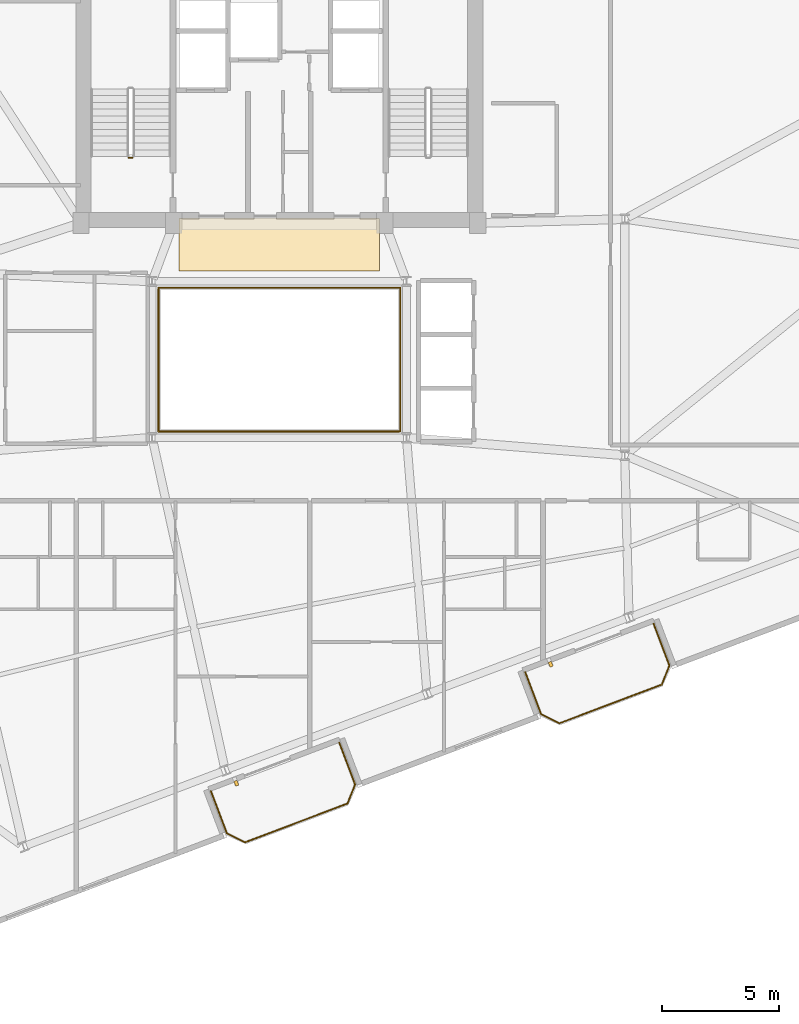
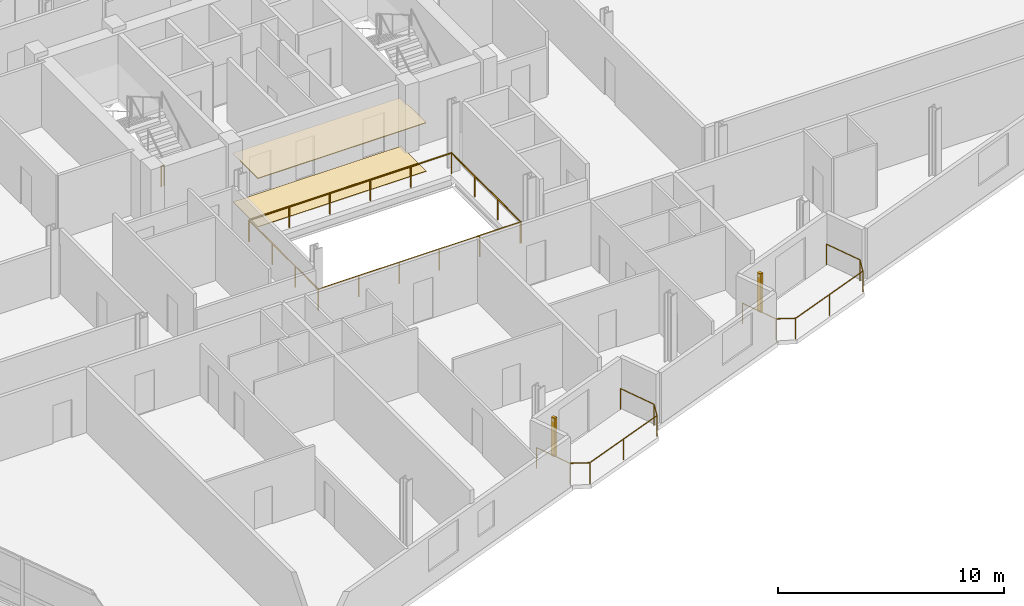
# One storey, part 19 of 20: 5 railings, 2 coverings, 2 shading devices.
"""IFC4 building model written with IfcOpenShell, lengths in metres."""

import ifcopenshell
import ifcopenshell.guid

model = None  # the IFC model being written
_history = None  # IfcOwnerHistory: only IFC2X3 demands one
_inside = {}  # id of a spatial element -> (the spatial element, [elements in it])
_under = {}  # id of a project, library or spatial element -> (it, [spatial elements below it])
_declared = {}  # id of a project -> (the project, [libraries it declares])
_typed = {}  # id of a type object -> (the type object, [elements of that type])
_made_of = {}  # id of a material, layer set ... -> (it, [elements and type objects made of it])


def new_model(schema):
    """Start an empty IFC model of exactly this schema.

    Asked for "IFC4X3", IfcOpenShell would pick the latest addendum, in which some entities
    have other attributes; the version numbers below select the first issue.
    IFC2X3 requires an IfcOwnerHistory on every rooted entity: one is made here for all.
    """
    global model, _history
    if schema == "IFC4X3":
        model = ifcopenshell.file(schema_version=(4, 3, 0, 0))
    else:
        model = ifcopenshell.file(schema=schema)
    _inside.clear()
    _under.clear()
    _declared.clear()
    _typed.clear()
    _made_of.clear()
    _history = None
    if model.schema == "IFC2X3":
        org = make("IfcOrganization", Name="unknown")
        user = make(
            "IfcPersonAndOrganization",
            ThePerson=make("IfcPerson", FamilyName="unknown"),
            TheOrganization=org,
        )
        app = make(
            "IfcApplication",
            ApplicationDeveloper=org,
            Version="unknown",
            ApplicationFullName="unknown",
            ApplicationIdentifier="unknown",
        )
        _history = make(
            "IfcOwnerHistory",
            OwningUser=user,
            OwningApplication=app,
            ChangeAction="ADDED",
            CreationDate=0,
        )
    return model


def make(cls, **values):
    """One entity of the class cls with the attributes given. An attribute that is None is left unset."""
    return model.create_entity(
        cls, **{name: value for name, value in values.items() if value is not None}
    )


def rooted(cls, **values):
    """An entity with a GlobalId (a new one), such as an element, a storey or a relation."""
    return make(cls, GlobalId=ifcopenshell.guid.new(), OwnerHistory=_history, **values)


def si_unit(unit_type, name, prefix=None):
    """IfcSIUnit, for example si_unit("LENGTHUNIT", "METRE", prefix="MILLI")."""
    return make("IfcSIUnit", UnitType=unit_type, Prefix=prefix, Name=name)


def assignment(units):
    """IfcUnitAssignment: the units of a project."""
    return None if units is None else make("IfcUnitAssignment", Units=units)


def point(xyz):
    """IfcCartesianPoint."""
    return None if xyz is None else make("IfcCartesianPoint", Coordinates=xyz)


def direction(xyz):
    """IfcDirection."""
    return None if xyz is None else make("IfcDirection", DirectionRatios=xyz)


def frame(location, z_axis=None, x_axis=None):
    """IfcAxis2Placement3D, a coordinate frame: its origin and axes. An axis left out is left unset."""
    return make(
        "IfcAxis2Placement3D",
        Location=point(location),
        Axis=direction(z_axis),
        RefDirection=direction(x_axis),
    )


def frame_2d(location, x_axis=None):
    """IfcAxis2Placement2D, a coordinate frame in the plane: its origin and x axis."""
    return make(
        "IfcAxis2Placement2D", Location=point(location), RefDirection=direction(x_axis)
    )


def origin():
    """The frame at (0, 0, 0) with its axes left unset."""
    return frame((0.0, 0.0, 0.0))


def origin_2d():
    """The frame at (0, 0) in the plane with its x axis left unset."""
    return frame_2d((0.0, 0.0))


def place(relative_to, where):
    """IfcLocalPlacement: puts the frame where relative to a parent placement (None: the world)."""
    return make(
        "IfcLocalPlacement", PlacementRelTo=relative_to, RelativePlacement=where
    )


def context(
    kind, dimensions, precision=None, world=None, true_north=None, identifier=None
):
    """IfcGeometricRepresentationContext, for example the 3D "Model" context."""
    return make(
        "IfcGeometricRepresentationContext",
        ContextIdentifier=identifier,
        ContextType=kind,
        CoordinateSpaceDimension=dimensions,
        Precision=precision,
        WorldCoordinateSystem=world,
        TrueNorth=true_north,
    )


def subcontext(parent, identifier, kind, view, scale=None):
    """IfcGeometricRepresentationSubContext, for example "Body" below "Model"."""
    return make(
        "IfcGeometricRepresentationSubContext",
        ContextIdentifier=identifier,
        ContextType=kind,
        ParentContext=parent,
        TargetScale=scale,
        TargetView=view,
    )


def project(units=None, contexts=None):
    """IfcProject with its units and contexts."""
    return rooted(
        "IfcProject",
        Name="project",
        RepresentationContexts=contexts,
        UnitsInContext=assignment(units),
    )


def spatial(cls, under=None, at=None, **own):
    """A site, building, storey or space (cls), placed at a placement, below another one or the project."""
    s = rooted(cls, ObjectPlacement=at, **own)
    if under is not None:
        _under.setdefault(under.id(), (under, []))[1].append(s)
    return s


def profile(cls, at=None, kind="AREA", **sizes):
    """A parametric profile (cls). Its sizes go by their IFC names, for example OverallWidth=200.0."""
    return make(cls, ProfileType=kind, Position=at, **sizes)


def rectangle(**sizes):
    """IfcRectangleProfileDef."""
    return profile("IfcRectangleProfileDef", **sizes)


def circle(**sizes):
    """IfcCircleProfileDef."""
    return profile("IfcCircleProfileDef", **sizes)


def extrude(swept, where, along, depth):
    """IfcExtrudedAreaSolid: the profile swept, set in the frame where, extruded along a direction by depth."""
    return make(
        "IfcExtrudedAreaSolid",
        SweptArea=swept,
        Position=where,
        ExtrudedDirection=direction(along),
        Depth=depth,
    )


def shape(context_of_items, identifier, shape_type, items):
    """IfcShapeRepresentation: the items that make up one representation, for example the "Body"."""
    return make(
        "IfcShapeRepresentation",
        ContextOfItems=context_of_items,
        RepresentationIdentifier=identifier,
        RepresentationType=shape_type,
        Items=items,
    )


def source(mapping_origin, context_of_items, identifier, shape_type, items):
    """IfcRepresentationMap: a shape defined once, which mapped items show again and again."""
    return make(
        "IfcRepresentationMap",
        MappingOrigin=mapping_origin,
        MappedRepresentation=shape(context_of_items, identifier, shape_type, items),
    )


def transform(
    local_origin,
    x_axis=None,
    y_axis=None,
    z_axis=None,
    scale=None,
    scale2=None,
    scale3=None,
    uniform=True,
):
    """IfcCartesianTransformationOperator3D, or its non-uniform kind. x_axis, y_axis, z_axis: its Axis1, 2, 3."""
    if uniform:
        return make(
            "IfcCartesianTransformationOperator3D",
            Axis1=direction(x_axis),
            Axis2=direction(y_axis),
            LocalOrigin=point(local_origin),
            Scale=scale,
            Axis3=direction(z_axis),
        )
    return make(
        "IfcCartesianTransformationOperator3DnonUniform",
        Axis1=direction(x_axis),
        Axis2=direction(y_axis),
        LocalOrigin=point(local_origin),
        Scale=scale,
        Axis3=direction(z_axis),
        Scale2=scale2,
        Scale3=scale3,
    )


def mapped(mapping_source, mapping_target):
    """IfcMappedItem: shows the shape of a source again, moved by a transform."""
    return make(
        "IfcMappedItem", MappingSource=mapping_source, MappingTarget=mapping_target
    )


def material(Name=None, Category=None):
    """IfcMaterial."""
    return make("IfcMaterial", Name=Name, Category=Category)


def layer(
    of_material, thickness, ventilated=None, Name=None, Category=None, Priority=None
):
    """IfcMaterialLayer: one layer of a wall or slab, of a material (None: an air gap)."""
    return make(
        "IfcMaterialLayer",
        Material=of_material,
        LayerThickness=thickness,
        IsVentilated=ventilated,
        Name=Name,
        Category=Category,
        Priority=Priority,
    )


def layer_set(layers, Name=None):
    """IfcMaterialLayerSet."""
    return make("IfcMaterialLayerSet", MaterialLayers=layers, LayerSetName=Name)


def made_of(thing, what):
    """Note that an element or type object is made of a material, layer set ...; save() writes the relation."""
    if what is not None:
        _made_of.setdefault(what.id(), (what, []))[1].append(thing)
    return thing


def type_object(cls, material=None, **own):
    """A type object (cls), such as IfcWallType, which elements share."""
    return made_of(rooted(cls, **own), material)


def element(
    cls,
    number,
    at=None,
    inside=None,
    cuts=None,
    type_object=None,
    material=None,
    context=None,
    identifier="Body",
    shape_type=None,
    held_by="IfcProductDefinitionShape",
    body=None,
    shapes=None,
    **own,
):
    """One element of the class cls, such as IfcWall. Its Tag is "e" and its number.

    at: its placement. inside: the storey or other place that contains it. cuts: it is an
    opening in that element (IfcRelVoidsElement). A single representation is given by context,
    identifier, shape_type and body (its items); several are given by shapes. held_by: the class
    of the entity that holds the representations. save() writes the other relations.
    """
    e = rooted(cls, Tag="e%d" % number, ObjectPlacement=at, **own)
    if body is not None:
        shapes = [shape(context, identifier, shape_type, body)]
    if shapes is not None:
        e.Representation = make(held_by, Representations=shapes)
    if inside is not None:
        _inside.setdefault(inside.id(), (inside, []))[1].append(e)
    if cuts is not None:
        rooted(
            "IfcRelVoidsElement", RelatingBuildingElement=cuts, RelatedOpeningElement=e
        )
    if type_object is not None:
        _typed.setdefault(type_object.id(), (type_object, []))[1].append(e)
    return made_of(e, material)


def aggregate(whole, parts):
    """IfcRelAggregates: a whole, such as a stair, and the parts it consists of."""
    return rooted("IfcRelAggregates", RelatingObject=whole, RelatedObjects=parts)


def save(model, path):
    """Write the relations noted so far, then the file.

    IfcRelAggregates (storeys below a building ...), IfcRelContainedInSpatialStructure (elements
    in a storey), IfcRelDefinesByType, IfcRelAssociatesMaterial and IfcRelDeclares: one each for
    every whole, place, type object, material and project.
    """
    for whole, parts in _under.values():
        aggregate(whole, parts)
    for where, things in _inside.values():
        rooted(
            "IfcRelContainedInSpatialStructure",
            RelatedElements=things,
            RelatingStructure=where,
        )
    for kind, things in _typed.values():
        rooted("IfcRelDefinesByType", RelatedObjects=things, RelatingType=kind)
    for what, things in _made_of.values():
        rooted("IfcRelAssociatesMaterial", RelatedObjects=things, RelatingMaterial=what)
    for by, libraries in _declared.values():
        rooted("IfcRelDeclares", RelatingContext=by, RelatedDefinitions=libraries)
    model.write(path)


model = new_model("IFC4")

# Units and contexts
model_context = context("Model", 3, precision=1e-05, world=origin(), true_north=direction((0.0, 1.0)))
body_context = subcontext(model_context, "Body", "Model", "MODEL_VIEW")
ifc_project = project(units=[si_unit("LENGTHUNIT", "METRE"), si_unit("AREAUNIT", "SQUARE_METRE"), si_unit("VOLUMEUNIT", "CUBIC_METRE"), si_unit("PLANEANGLEUNIT", "RADIAN"), si_unit("MASSUNIT", "GRAM", prefix="KILO")], contexts=[model_context])

# Site, building, storey
site_placement = place(None, origin())
site = spatial("IfcSite", under=ifc_project, at=site_placement, CompositionType="ELEMENT")
building_placement = place(site_placement, origin())
building = spatial("IfcBuilding", under=site, at=building_placement, Name="Varnelok Gate Tower", CompositionType="ELEMENT")
storey_placement = place(building_placement, frame((0.0, 0.0, 216.39990234375)))
storey = spatial("IfcBuildingStorey", under=building, at=storey_placement, Name="L55", CompositionType="ELEMENT", Elevation=216.39990234375)

# Railings
ifc_material_1 = material(Name="Tempered Laminated Balustrade Glass", Category="glass")
railing_type_1 = type_object("IfcRailingType", Name="RL-ATR-GUARD1150", PredefinedType="GUARDRAIL", material=ifc_material_1)
railing_1_placement = place(storey_placement, frame((34.02001953125, 25.929931640625, 0.0)))
element("IfcRailing", 1, at=railing_1_placement, inside=storey, type_object=railing_type_1, Name="L55 Internal Atrium South-West Guardrail", PredefinedType="GUARDRAIL", context=body_context, shape_type="SweptSolid", body=[
    extrude(circle(Radius=0.02392578125, at=origin_2d()), frame((0.0, 0.0, 1.1259765625), z_axis=(0.0, -1.0, 0.0), x_axis=(1.0, 0.0, 0.0)), (0.0, 0.0, 1.0), 6.10986328125),
    extrude(circle(Radius=0.02392578125, at=origin_2d()), frame((0.0, -6.10986328125, 1.1259765625), z_axis=(1.0, 0.0, 0.0), x_axis=(0.0, 1.0, 0.0)), (0.0, 0.0, 1.0), 10.31005859375),
    extrude(circle(Radius=0.02099609375, at=origin_2d()), origin(), (0.0, 0.0, 1.0), 1.101806640625),
    extrude(circle(Radius=0.02099609375, at=origin_2d()), frame((0.0, -2.03662109375, 0.0)), (0.0, 0.0, 1.0), 1.101806640625),
    extrude(circle(Radius=0.02099609375, at=origin_2d()), frame((0.0, -4.0732421875, 0.0)), (0.0, 0.0, 1.0), 1.101806640625),
    extrude(circle(Radius=0.02099609375, at=origin_2d()), frame((0.0, -6.10986328125, 0.0)), (0.0, 0.0, 1.0), 1.101806640625),
    extrude(circle(Radius=0.02099609375, at=origin_2d()), frame((2.06201171875, -6.10986328125, 0.0)), (0.0, 0.0, 1.0), 1.101806640625),
    extrude(circle(Radius=0.02099609375, at=origin_2d()), frame((4.1240234375, -6.10986328125, 0.0)), (0.0, 0.0, 1.0), 1.101806640625),
    extrude(circle(Radius=0.02099609375, at=origin_2d()), frame((6.18603515625, -6.10986328125, 0.0)), (0.0, 0.0, 1.0), 1.101806640625),
    extrude(circle(Radius=0.02099609375, at=origin_2d()), frame((8.248046875, -6.10986328125, 0.0)), (0.0, 0.0, 1.0), 1.101806640625),
    extrude(circle(Radius=0.02099609375, at=origin_2d()), frame((10.31005859375, -6.10986328125, 0.0)), (0.0, 0.0, 1.0), 1.101806640625),
])
railing_2_placement = place(storey_placement, frame((44.3798828125, 19.820068359375, 0.0)))
element("IfcRailing", 2, at=railing_2_placement, inside=storey, type_object=railing_type_1, Name="L55 Internal Atrium North-East Guardrail", PredefinedType="GUARDRAIL", context=body_context, shape_type="SweptSolid", body=[
    extrude(circle(Radius=0.02392578125, at=origin_2d()), frame((0.0, 0.0, 1.1259765625), z_axis=(0.0, 1.0, 0.0), x_axis=(-1.0, 0.0, 0.0)), (0.0, 0.0, 1.0), 6.159912109375),
    extrude(circle(Radius=0.02392578125, at=origin_2d()), frame((0.0, 6.159912109375, 1.1259765625), z_axis=(-1.0, 0.0, 0.0), x_axis=(0.0, -1.0, 0.0)), (0.0, 0.0, 1.0), 10.35986328125),
    extrude(circle(Radius=0.02099609375, at=origin_2d()), origin(), (0.0, 0.0, 1.0), 1.101806640625),
    extrude(circle(Radius=0.02099609375, at=origin_2d()), frame((0.0, 2.05322265625, 0.0)), (0.0, 0.0, 1.0), 1.101806640625),
    extrude(circle(Radius=0.02099609375, at=origin_2d()), frame((0.0, 4.106689453125, 0.0)), (0.0, 0.0, 1.0), 1.101806640625),
    extrude(circle(Radius=0.02099609375, at=origin_2d()), frame((0.0, 6.159912109375, 0.0)), (0.0, 0.0, 1.0), 1.101806640625),
    extrude(circle(Radius=0.02099609375, at=origin_2d()), frame((-2.072021484375, 6.159912109375, 0.0)), (0.0, 0.0, 1.0), 1.101806640625),
    extrude(circle(Radius=0.02099609375, at=origin_2d()), frame((-4.14404296875, 6.159912109375, 0.0)), (0.0, 0.0, 1.0), 1.101806640625),
    extrude(circle(Radius=0.02099609375, at=origin_2d()), frame((-6.2158203125, 6.159912109375, 0.0)), (0.0, 0.0, 1.0), 1.101806640625),
    extrude(circle(Radius=0.02099609375, at=origin_2d()), frame((-8.287841796875, 6.159912109375, 0.0)), (0.0, 0.0, 1.0), 1.101806640625),
    extrude(circle(Radius=0.02099609375, at=origin_2d()), frame((-10.35986328125, 6.159912109375, 0.0)), (0.0, 0.0, 1.0), 1.101806640625),
])
ifc_material_2 = material(Name="Low-E Laminated Double Glazing IGU", Category="glass")
railing_type_2 = type_object("IfcRailingType", Name="RL-BALC-1150", PredefinedType="BALUSTRADE", material=ifc_material_2)
railing_3_placement = place(storey_placement, frame((36.26708984375, 4.408203125, 0.0)))
element("IfcRailing", 3, at=railing_3_placement, inside=storey, type_object=railing_type_2, Name="L55 South Terrace Balustrade 1", PredefinedType="BALUSTRADE", context=body_context, shape_type="SweptSolid", body=[
    extrude(circle(Radius=0.02392578125, at=origin_2d()), frame((0.0, 0.0, 1.1259765625), z_axis=(0.354006333352, -0.935243025073, 0.0), x_axis=(0.935243025073, 0.354006333352, 0.0)), (0.0, 0.0, 1.0), 1.919921875),
    extrude(circle(Radius=0.02392578125, at=origin_2d()), frame((0.6796875, -1.795654296875, 1.1259765625), z_axis=(0.89078254773, -0.454429810487, 0.0), x_axis=(0.454429810487, 0.89078254773, 0.0)), (0.0, 0.0, 1.0), 0.8779296875),
    extrude(circle(Radius=0.02392578125, at=origin_2d()), frame((1.461669921875, -2.194580078125, 1.1259765625), z_axis=(0.935223045203, 0.354059113314, 0.0), x_axis=(-0.354059113314, 0.935223045203, 0.0)), (0.0, 0.0, 1.0), 4.699951171875),
    extrude(circle(Radius=0.02392578125, at=origin_2d()), frame((5.857177734375, -0.530517578125, 1.1259765625), z_axis=(0.366254584666, 0.930514685113, 0.0), x_axis=(-0.930514685113, 0.366254584666, 0.0)), (0.0, 0.0, 1.0), 0.8779296875),
    extrude(circle(Radius=0.02392578125, at=origin_2d()), frame((6.1787109375, 0.286376953125, 1.1259765625), z_axis=(-0.354048437536, 0.935227086797, 0.0), x_axis=(-0.935227086797, -0.354048437536, 0.0)), (0.0, 0.0, 1.0), 1.919677734375),
    extrude(circle(Radius=0.02099609375, at=origin_2d()), origin(), (0.0, 0.0, 1.0), 1.101806640625),
    extrude(circle(Radius=0.02099609375, at=origin_2d()), frame((0.6796875, -1.795654296875, 0.0)), (0.0, 0.0, 1.0), 1.101806640625),
    extrude(circle(Radius=0.02099609375, at=origin_2d()), frame((1.461669921875, -2.194580078125, 0.0)), (0.0, 0.0, 1.0), 1.101806640625),
    extrude(circle(Radius=0.02099609375, at=origin_2d()), frame((3.659423828125, -1.362548828125, 0.0)), (0.0, 0.0, 1.0), 1.101806640625),
    extrude(circle(Radius=0.02099609375, at=origin_2d()), frame((5.857177734375, -0.530517578125, 0.0)), (0.0, 0.0, 1.0), 1.101806640625),
    extrude(circle(Radius=0.02099609375, at=origin_2d()), frame((6.1787109375, 0.286376953125, 0.0)), (0.0, 0.0, 1.0), 1.101806640625),
    extrude(circle(Radius=0.02099609375, at=origin_2d()), frame((5.4990234375, 2.081787109375, 0.0)), (0.0, 0.0, 1.0), 1.101806640625),
])
railing_4_placement = place(storey_placement, frame((49.734130859375, 9.506591796875, 0.0)))
element("IfcRailing", 4, at=railing_4_placement, inside=storey, type_object=railing_type_2, Name="L55 South Terrace Balustrade 2", PredefinedType="BALUSTRADE", context=body_context, shape_type="SweptSolid", body=[
    extrude(circle(Radius=0.02392578125, at=origin_2d()), frame((0.0, 0.0, 1.1259765625), z_axis=(0.354159661475, -0.935184973245, 0.0), x_axis=(0.935184973245, 0.354159661475, 0.0)), (0.0, 0.0, 1.0), 1.919921875),
    extrude(circle(Radius=0.02392578125, at=origin_2d()), frame((0.679931640625, -1.79541015625, 1.1259765625), z_axis=(0.890612455555, -0.454763074589, 0.0), x_axis=(0.454763074589, 0.890612455555, 0.0)), (0.0, 0.0, 1.0), 0.877685546875),
    extrude(circle(Radius=0.02392578125, at=origin_2d()), frame((1.461669921875, -2.194580078125, 1.1259765625), z_axis=(0.935212356898, 0.354087344458, 0.0), x_axis=(-0.354087344458, 0.935212356898, 0.0)), (0.0, 0.0, 1.0), 4.7001953125),
    extrude(circle(Radius=0.02392578125, at=origin_2d()), frame((5.857421875, -0.5302734375, 1.1259765625), z_axis=(0.366349384437, 0.930477365938, 0.0), x_axis=(-0.930477365938, 0.366349384437, 0.0)), (0.0, 0.0, 1.0), 0.877685546875),
    extrude(circle(Radius=0.02392578125, at=origin_2d()), frame((6.178955078125, 0.286376953125, 1.1259765625), z_axis=(-0.354006333352, 0.935243025073, 0.0), x_axis=(-0.935243025073, -0.354006333352, 0.0)), (0.0, 0.0, 1.0), 1.919921875),
    extrude(circle(Radius=0.02099609375, at=origin_2d()), origin(), (0.0, 0.0, 1.0), 1.101806640625),
    extrude(circle(Radius=0.02099609375, at=origin_2d()), frame((0.679931640625, -1.79541015625, 0.0)), (0.0, 0.0, 1.0), 1.101806640625),
    extrude(circle(Radius=0.02099609375, at=origin_2d()), frame((1.461669921875, -2.194580078125, 0.0)), (0.0, 0.0, 1.0), 1.101806640625),
    extrude(circle(Radius=0.02099609375, at=origin_2d()), frame((3.65966796875, -1.3623046875, 0.0)), (0.0, 0.0, 1.0), 1.101806640625),
    extrude(circle(Radius=0.02099609375, at=origin_2d()), frame((5.857421875, -0.5302734375, 0.0)), (0.0, 0.0, 1.0), 1.101806640625),
    extrude(circle(Radius=0.02099609375, at=origin_2d()), frame((6.178955078125, 0.286376953125, 0.0)), (0.0, 0.0, 1.0), 1.101806640625),
    extrude(circle(Radius=0.02099609375, at=origin_2d()), frame((5.499267578125, 2.08203125, 0.0)), (0.0, 0.0, 1.0), 1.101806640625),
])
ifc_material_3 = material(Name="Galvanized Steel Grade S350GD", Category="steel")
railing_type_3 = type_object("IfcRailingType", Name="RL-STAIR-GUARD1120", PredefinedType="GUARDRAIL", material=ifc_material_3)
railing_5_placement = place(storey_placement, frame((32.89990234375, 31.550048828125, 0.0)))
element("IfcRailing", 5, at=railing_5_placement, inside=storey, type_object=railing_type_3, Name="L55 ST-1 stair guard 4", PredefinedType="GUARDRAIL", context=body_context, shape_type="SweptSolid", body=[
    extrude(circle(Radius=0.02392578125, at=origin_2d()), frame((0.0, 0.0, 1.09619140625), z_axis=(-1.0, 0.0, 0.0), x_axis=(0.0, -1.0, 0.0)), (0.0, 0.0, 1.0), 0.14990234375),
    extrude(circle(Radius=0.02099609375, at=origin_2d()), origin(), (0.0, 0.0, 1.0), 1.072021484375),
    extrude(circle(Radius=0.02099609375, at=origin_2d()), frame((-0.14990234375, 0.0, 0.0)), (0.0, 0.0, 1.0), 1.072021484375),
])

# Shading devices
ifc_material_4 = material(Name="Glazed Architectural Terracotta Ceramic", Category="masonry")
shading_device_type = type_object("IfcShadingDeviceType", Name="SHD-TERRA-FIN", PredefinedType="USERDEFINED", material=ifc_material_4)
shared_shape_1 = source(origin(), body_context, "Body", "SweptSolid", [
    extrude(rectangle(XDim=0.139892578125, YDim=0.219970703125, at=origin_2d()), origin(), (0.0, 0.0, 1.0), 2.10009765625),
])
for number, where, z_axis, x_axis, name in (
    (6, (37.35791015625, 4.746337890625, 0.10009765625), (0.0, 0.0, 1.0), (0.935221751401, 0.354062530786, 0.0), "L55 Terracotta Ceramic Baguette Sunscreen 1.1"),
    (7, (50.8251953125, 9.844970703125, 0.10009765625), (0.0, 0.0, 1.0), (0.935221751401, 0.354062530786, 0.0), "L55 Terracotta Ceramic Baguette Sunscreen 2.1"),
):
    element("IfcShadingDevice", number, at=place(storey_placement, frame(where, z_axis=z_axis, x_axis=x_axis)), inside=storey, type_object=shading_device_type, Name=name, ObjectType="BAGUETTE", PredefinedType="USERDEFINED", context=body_context, shape_type="MappedRepresentation", body=[
        mapped(shared_shape_1, transform((0.0, 0.0, 0.0), scale=1.0)),
    ])

# Coverings
ifc_material_5 = material(Name="Honed Travertine Stone Flooring", Category="masonry")
ifc_layer_1 = layer(ifc_material_5, 0.02490234375)
ifc_layer_set_1 = layer_set([ifc_layer_1], Name="Honed Travertine Stone Flooring")
covering_type_1 = type_object("IfcCoveringType", Name="COV-FLOR-STONE", PredefinedType="FLOORING", material=ifc_layer_set_1)
shared_shape_2 = source(origin(), body_context, "Body", "SweptSolid", [
    extrude(rectangle(XDim=8.60009765625, YDim=2.219970703125, at=origin_2d()), origin(), (0.0, 0.0, 1.0), 0.02490234375),
])
covering_1_placement = place(storey_placement, frame((39.199951171875, 27.800048828125, 0.000244140625), z_axis=(0.0, 0.0, 1.0), x_axis=(1.0, 0.0, 0.0)))
element("IfcCovering", 8, at=covering_1_placement, inside=storey, type_object=covering_type_1, Name="L55 Core Gallery Stone Flooring", PredefinedType="FLOORING", context=body_context, shape_type="MappedRepresentation", body=[
    mapped(shared_shape_2, transform((0.0, 0.0, 0.0), scale=1.0)),
])
ifc_material_6 = material(Name="Mineral Fiber Acoustic Ceiling Tile")
ifc_layer_2 = layer(ifc_material_6, 0.0400390625)
ifc_layer_set_2 = layer_set([ifc_layer_2], Name="Mineral Fiber Acoustic Ceiling Tile")
covering_type_2 = type_object("IfcCoveringType", Name="COV-CEIL-ACOUST", PredefinedType="CEILING", material=ifc_layer_set_2)
shared_shape_3 = source(origin(), body_context, "Body", "SweptSolid", [
    extrude(rectangle(XDim=8.60009765625, YDim=2.239990234375, at=origin_2d()), origin(), (0.0, 0.0, 1.0), 0.0400390625),
])
covering_2_placement = place(storey_placement, frame((39.199951171875, 27.820068359375, 2.60009765625), z_axis=(0.0, 0.0, 1.0), x_axis=(1.0, 0.0, 0.0)))
element("IfcCovering", 9, at=covering_2_placement, inside=storey, type_object=covering_type_2, Name="L55 Core Gallery Acoustic Ceiling", PredefinedType="CEILING", context=body_context, shape_type="MappedRepresentation", body=[
    mapped(shared_shape_3, transform((0.0, 0.0, 0.0), scale=1.0)),
])

save(model, "model.ifc")
